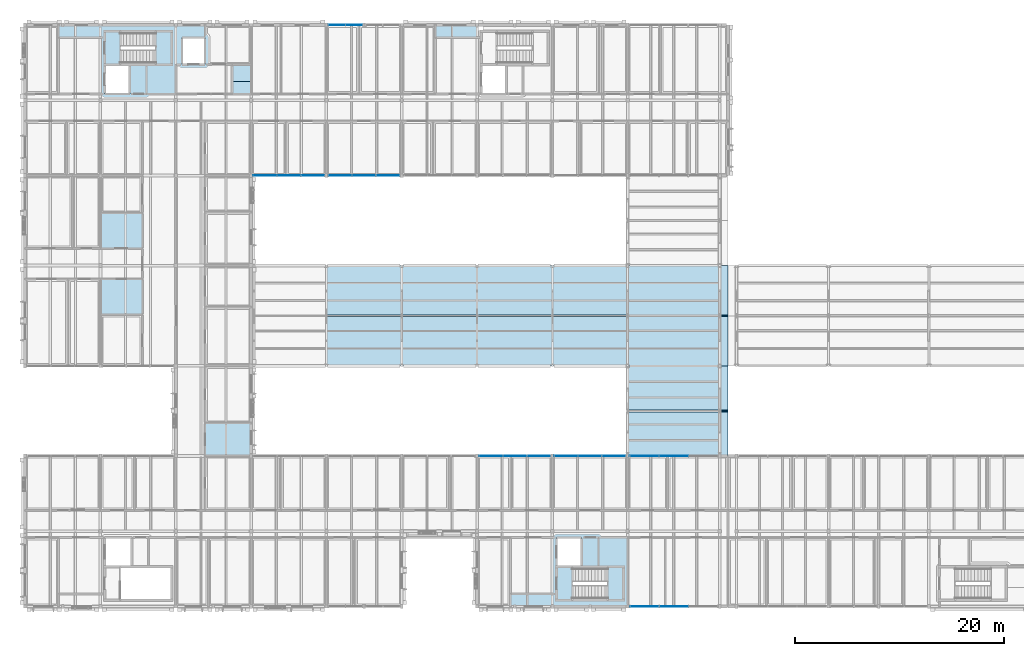
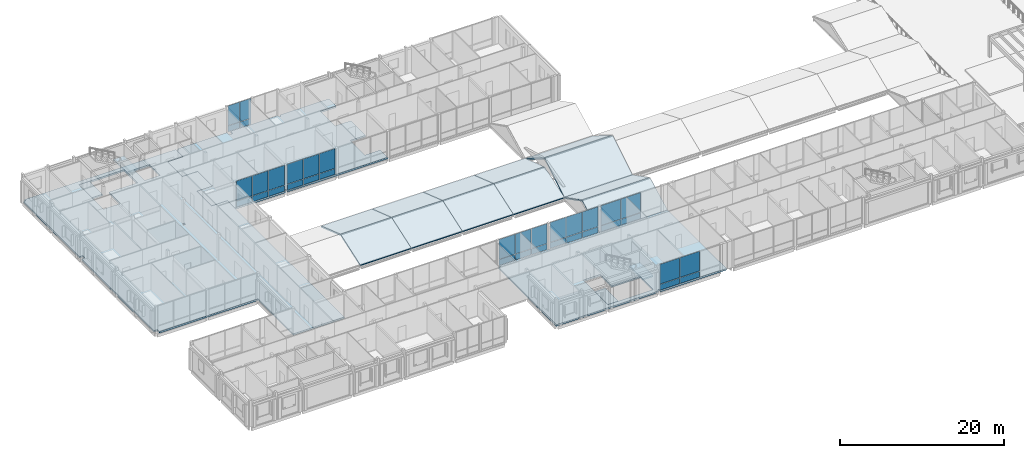
# One storey, part 68 of 115: 36 plates, 19 slabs, 9 elements without a shape of their own.
"""IFC4 building model written with IfcOpenShell, lengths in metres."""

from ifc_helpers import new_model, si_unit, direction, frame, origin, origin_2d, place, context, subcontext, project, spatial, polyline, rectangle, outline, extrude, material, layer, layer_set, type_object, element, aggregate, save


model = new_model("IFC4")

# Units and contexts
model_context = context("Model", 3, precision=1e-05, world=origin(), true_north=direction((0.0, 1.0)))
body_context = subcontext(model_context, "Body", "Model", "MODEL_VIEW")
ifc_project = project(units=[si_unit("LENGTHUNIT", "METRE"), si_unit("AREAUNIT", "SQUARE_METRE"), si_unit("VOLUMEUNIT", "CUBIC_METRE"), si_unit("PLANEANGLEUNIT", "RADIAN"), si_unit("MASSUNIT", "GRAM", prefix="KILO")], contexts=[model_context])

# Site, building, storey
site_placement = place(None, origin())
site = spatial("IfcSite", under=ifc_project, at=site_placement, CompositionType="ELEMENT")
building_placement = place(site_placement, origin())
building = spatial("IfcBuilding", under=site, at=building_placement, Name="Hawrajan Terrace Health Centre", CompositionType="ELEMENT")
storey_placement = place(building_placement, frame((0.0, 0.0, 9.0)))
storey = spatial("IfcBuildingStorey", under=building, at=storey_placement, Name="L02", CompositionType="ELEMENT", Elevation=9.0)

# Curtain wall, plates
ifc_material_1 = material(Name="Anodized bronze aluminium and low-E solar glazing", Category="aluminium")
curtain_wall_type_1 = type_object("IfcCurtainWallType", Name="CW_Court_SeriesB2", PredefinedType="USERDEFINED", material=ifc_material_1)
curtain_wall_1_placement = place(storey_placement, origin())
curtain_wall_1 = element("IfcCurtainWall", 1, at=curtain_wall_1_placement, inside=storey, type_object=curtain_wall_type_1, Name="Curtain wall CW-L02-125", ObjectType="UNITISED CURTAIN WALL", PredefinedType="USERDEFINED")
ifc_material_2 = material(Name="Diffused north-light insulated glazing", Category="glass")
ifc_layer_1 = layer(ifc_material_2, 0.031982421875)
ifc_layer_set_1 = layer_set([ifc_layer_1], Name="Diffused north-light insulated glazing")
plate_type_1 = type_object("IfcPlateType", Name="ClerestoryGlassPanel_32", PredefinedType="CURTAIN_PANEL", material=ifc_layer_set_1)
plate_1_placement = place(storey_placement, frame((34.715087890625, 45.39990234375, 0.9814453125), z_axis=(0.0, 0.0, 1.0), x_axis=(1.0, 0.0, 0.0)))
plate_1 = element("IfcPlate", 2, at=plate_1_placement, type_object=plate_type_1, Name="Curtain panel CW-L02-125-P1-2", PredefinedType="CURTAIN_PANEL", context=body_context, shape_type="SweptSolid", body=[
    extrude(rectangle(XDim=2.2119140625, YDim=0.031982421875, at=origin_2d()), origin(), (0.0, 0.0, 1.0), 2.939453125),
])
plate_2_placement = place(storey_placement, frame((36.989990234375, 45.39990234375, 0.9814453125), z_axis=(0.0, 0.0, 1.0), x_axis=(1.0, 0.0, 0.0)))
plate_2 = element("IfcPlate", 3, at=plate_2_placement, type_object=plate_type_1, Name="Curtain panel CW-L02-125-P2-2", PredefinedType="CURTAIN_PANEL", context=body_context, shape_type="SweptSolid", body=[
    extrude(rectangle(XDim=2.2119140625, YDim=0.031982421875, at=origin_2d()), origin(), (0.0, 0.0, 1.0), 2.939453125),
])
plate_3_placement = place(storey_placement, frame((39.264892578125, 45.39990234375, 0.9814453125), z_axis=(0.0, 0.0, 1.0), x_axis=(1.0, 0.0, 0.0)))
plate_3 = element("IfcPlate", 4, at=plate_3_placement, type_object=plate_type_1, Name="Curtain panel CW-L02-125-P3-2", PredefinedType="CURTAIN_PANEL", context=body_context, shape_type="SweptSolid", body=[
    extrude(rectangle(XDim=2.2119140625, YDim=0.031982421875, at=origin_2d()), origin(), (0.0, 0.0, 1.0), 2.939453125),
])

curtain_wall_type_2 = type_object("IfcCurtainWallType", Name="CW_Garden_SeriesF1", PredefinedType="USERDEFINED", material=ifc_material_1)
curtain_wall_2_placement = place(storey_placement, origin())
curtain_wall_2 = element("IfcCurtainWall", 5, at=curtain_wall_2_placement, inside=storey, type_object=curtain_wall_type_2, Name="Curtain wall CW-L02-134", ObjectType="UNITISED CURTAIN WALL", PredefinedType="USERDEFINED")
plate_4_placement = place(storey_placement, frame((63.8017578125, 4.199951171875, 0.9814453125), z_axis=(0.0, 0.0, 1.0), x_axis=(1.0, 0.0, 0.0)))
plate_4 = element("IfcPlate", 6, at=plate_4_placement, type_object=plate_type_1, Name="Curtain panel CW-L02-134-P1-2", PredefinedType="CURTAIN_PANEL", context=body_context, shape_type="SweptSolid", body=[
    extrude(rectangle(XDim=2.745361328125, YDim=0.031982421875, at=origin_2d()), origin(), (0.0, 0.0, 1.0), 2.939453125),
])
plate_5_placement = place(storey_placement, frame((66.610107421875, 4.199951171875, 0.9814453125), z_axis=(0.0, 0.0, 1.0), x_axis=(1.0, 0.0, 0.0)))
plate_5 = element("IfcPlate", 7, at=plate_5_placement, type_object=plate_type_1, Name="Curtain panel CW-L02-134-P2-2", PredefinedType="CURTAIN_PANEL", context=body_context, shape_type="SweptSolid", body=[
    extrude(rectangle(XDim=2.745361328125, YDim=0.031982421875, at=origin_2d()), origin(), (0.0, 0.0, 1.0), 2.939453125),
])

# Slabs
ifc_material_3 = material(Name="Cross-laminated timber CLT C24", Category="wood")
ifc_layer_2 = layer(ifc_material_3, 0.239990234375)
ifc_layer_set_2 = layer_set([ifc_layer_2], Name="Cross-laminated timber CLT C24")
slab_type_1 = type_object("IfcSlabType", Name="FloorSlab_CLT240", PredefinedType="FLOOR", material=ifc_layer_set_2)
slab_1_placement = place(storey_placement, frame((0.0, 0.0, -0.239990234375)))
element("IfcSlab", 8, at=slab_1_placement, inside=storey, type_object=slab_type_1, Name="Structural slab SL-L02-W-V2-Z0-1", PredefinedType="FLOOR", context=body_context, shape_type="SweptSolid", body=[
    extrude(outline(polyline([(4.60009765625, 59.52001953125), (4.8798828125, 59.52001953125), (4.8798828125, 59.800048828125), (11.800048828125, 59.800048828125), (19.0, 59.800048828125), (26.199951171875, 59.800048828125), (26.199951171875, 59.52001953125), (26.199951171875, 58.0), (24.0, 58.0), (24.0, 54.39990234375), (26.199951171875, 54.39990234375), (26.199951171875, 52.60009765625), (26.199951171875, 50.800048828125), (24.0, 50.800048828125), (24.0, 47.199951171875), (26.199951171875, 47.199951171875), (26.199951171875, 45.39990234375), (26.199951171875, 36.800048828125), (26.199951171875, 27.199951171875), (26.199951171875, 18.60009765625), (19.280029296875, 18.60009765625), (19.0, 18.60009765625), (19.0, 27.199951171875), (11.800048828125, 27.199951171875), (5.10009765625, 27.199951171875), (5.10009765625, 27.699951171875), (4.60009765625, 27.699951171875), (4.60009765625, 36.800048828125), (4.60009765625, 45.39990234375), (5.10009765625, 45.39990234375), (5.10009765625, 45.89990234375), (4.60009765625, 45.89990234375), (4.60009765625, 52.60009765625), (4.60009765625, 59.52001953125)]), holes=[polyline([(19.280029296875, 45.39990234375), (19.280029296875, 45.679931640625), (19.0, 45.679931640625), (19.0, 45.39990234375), (19.280029296875, 45.39990234375)]), polyline([(14.60009765625, 53.199951171875), (14.60009765625, 56.0), (18.60009765625, 56.0), (18.60009765625, 59.199951171875), (12.199951171875, 59.199951171875), (12.199951171875, 56.0), (12.199951171875, 53.199951171875), (14.60009765625, 53.199951171875)]), polyline([(21.800048828125, 56.0), (21.800048828125, 58.60009765625), (19.60009765625, 58.60009765625), (19.60009765625, 56.0), (21.800048828125, 56.0)])]), origin(), (0.0, 0.0, 1.0), 0.239990234375),
])
slab_2_placement = place(storey_placement, frame((0.0, 0.0, -0.239990234375)))
element("IfcSlab", 9, at=slab_2_placement, inside=storey, type_object=slab_type_1, Name="Structural slab SL-L02-W-V2-Z1-1", PredefinedType="FLOOR", context=body_context, shape_type="SweptSolid", body=[
    extrude(outline(polyline([(26.47998046875, 59.52001953125), (26.47998046875, 59.800048828125), (33.39990234375, 59.800048828125), (33.39990234375, 59.25), (33.949951171875, 59.25), (33.949951171875, 59.800048828125), (40.60009765625, 59.800048828125), (40.60009765625, 59.52001953125), (40.8798828125, 59.52001953125), (40.8798828125, 59.800048828125), (47.800048828125, 59.800048828125), (47.800048828125, 59.25), (47.800048828125, 58.0), (45.60009765625, 58.0), (45.60009765625, 54.39990234375), (47.800048828125, 54.39990234375), (47.800048828125, 52.60009765625), (47.800048828125, 50.800048828125), (45.60009765625, 50.800048828125), (45.60009765625, 47.199951171875), (47.800048828125, 47.199951171875), (47.800048828125, 45.679931640625), (47.800048828125, 45.39990234375), (40.60009765625, 45.39990234375), (33.679931640625, 45.39990234375), (33.679931640625, 45.679931640625), (33.39990234375, 45.679931640625), (33.39990234375, 45.39990234375), (26.201904296875, 45.39990234375), (26.201904296875, 47.201904296875), (24.001953125, 47.201904296875), (24.001953125, 50.798095703125), (26.201904296875, 50.798095703125), (26.201904296875, 54.402099609375), (24.001953125, 54.402099609375), (24.001953125, 57.998046875), (26.201904296875, 57.998046875), (26.201904296875, 59.52001953125), (26.47998046875, 59.52001953125)])), origin(), (0.0, 0.0, 1.0), 0.239990234375),
])
slab_3_placement = place(storey_placement, frame((0.0, 0.0, -0.239990234375)))
element("IfcSlab", 10, at=slab_3_placement, inside=storey, type_object=slab_type_1, Name="Structural slab SL-L02-W-V3-Z2-1", PredefinedType="FLOOR", context=body_context, shape_type="SweptSolid", body=[
    extrude(outline(polyline([(48.080078125, 18.320068359375), (48.080078125, 18.60009765625), (55.0, 18.60009765625), (62.199951171875, 18.60009765625), (71.794921875, 18.60009765625), (71.794921875, 11.39990234375), (71.794921875, 4.199951171875), (62.47998046875, 4.199951171875), (62.47998046875, 4.47998046875), (62.199951171875, 4.47998046875), (62.199951171875, 4.199951171875), (55.0, 4.199951171875), (47.800048828125, 4.199951171875), (47.800048828125, 11.39990234375), (47.800048828125, 18.320068359375), (48.080078125, 18.320068359375)]), holes=[polyline([(61.800048828125, 4.800048828125), (61.800048828125, 8.0), (57.800048828125, 8.0), (57.800048828125, 10.800048828125), (55.39990234375, 10.800048828125), (55.39990234375, 8.0), (55.39990234375, 4.800048828125), (61.800048828125, 4.800048828125)])]), origin(), (0.0, 0.0, 1.0), 0.239990234375),
])
ifc_layer_3 = layer(ifc_material_3, 0.179931640625)
ifc_layer_set_3 = layer_set([ifc_layer_3], Name="Cross-laminated timber CLT C24")
slab_type_2 = type_object("IfcSlabType", Name="RoofSlab_Tent180", PredefinedType="ROOF", material=ifc_layer_set_3)
for number, where, z_axis, x_axis, name in (
    (11, (33.39990234375, 27.199951171875, 0.0), (0.0, -0.325092072107, 0.945682369854), (1.0, 0.0, 0.0), "Pitched tent roof slab RF-V1-05-TRS-S"),
    (12, (33.39990234375, 32.080078125, 1.62255859375), (0.0, 0.325092072107, 0.945682369854), (1.0, 0.0, 0.0), "Pitched tent roof slab RF-V1-05-TRS-N"),
):
    element("IfcSlab", number, at=place(storey_placement, frame(where, z_axis=z_axis, x_axis=x_axis)), inside=storey, type_object=slab_type_2, Name=name, PredefinedType="ROOF", context=body_context, shape_type="SweptSolid", body=[
        extrude(outline(polyline([(0.0, 0.0), (7.2001953125, 0.0), (7.2001953125, 4.991074015531154), (0.0, 4.991074015531154), (0.0, 0.0)])), origin(), (0.0, 0.0, -1.0), 0.179931640625),
    ])
for number, where, z_axis, x_axis, name in (
    (13, (40.60009765625, 27.199951171875, 0.0), (0.0, -0.325092072107, 0.945682369854), (1.0, 0.0, 0.0), "Pitched tent roof slab RF-V1-06-TRS-S"),
    (14, (40.60009765625, 32.080078125, 1.62255859375), (0.0, 0.325092072107, 0.945682369854), (1.0, 0.0, 0.0), "Pitched tent roof slab RF-V1-06-TRS-N"),
    (15, (47.800048828125, 27.199951171875, 0.0), (0.0, -0.325092072107, 0.945682369854), (1.0, 0.0, 0.0), "Pitched tent roof slab RF-V1-07-TRS-S"),
    (16, (47.800048828125, 32.080078125, 1.62255859375), (0.0, 0.325092072107, 0.945682369854), (1.0, 0.0, 0.0), "Pitched tent roof slab RF-V1-07-TRS-N"),
    (17, (55.0, 27.199951171875, 0.0), (0.0, -0.325092072107, 0.945682369854), (1.0, 0.0, 0.0), "Pitched tent roof slab RF-V1-08-TRS-S"),
    (18, (55.0, 32.080078125, 1.62255859375), (0.0, 0.325092072107, 0.945682369854), (1.0, 0.0, 0.0), "Pitched tent roof slab RF-V1-08-TRS-N"),
):
    element("IfcSlab", number, at=place(storey_placement, frame(where, z_axis=z_axis, x_axis=x_axis)), inside=storey, type_object=slab_type_2, Name=name, PredefinedType="ROOF", context=body_context, shape_type="SweptSolid", body=[
        extrude(outline(polyline([(0.0, 0.0), (7.199951171875, 0.0), (7.199951171875, 4.991074015531154), (0.0, 4.991074015531154), (0.0, 0.0)])), origin(), (0.0, 0.0, -1.0), 0.179931640625),
    ])
for number, where, z_axis, x_axis, name in (
    (19, (62.199951171875, 18.60009765625, 0.0), (0.0, -0.45549668815, 0.890237477915), (1.0, 0.0, 0.0), "Pitched tent roof slab RF-V1-09-TRL-SC-S"),
    (20, (62.199951171875, 22.97998046875, 2.1591796875), (0.0, 0.45549668815, 0.890237477915), (1.0, 0.0, 0.0), "Pitched tent roof slab RF-V1-09-TRL-SC-N"),
):
    element("IfcSlab", number, at=place(storey_placement, frame(where, z_axis=z_axis, x_axis=x_axis)), inside=storey, type_object=slab_type_2, Name=name, PredefinedType="ROOF", context=body_context, shape_type="SweptSolid", body=[
        extrude(outline(polyline([(0.0, 0.0), (9.594970703125, 0.0), (9.594970703125, 4.740275272402005), (0.0, 4.740275272402005), (0.0, 0.0)])), origin(), (0.0, 0.0, -1.0), 0.179931640625),
    ])
for number, where, z_axis, x_axis, name in (
    (21, (62.199951171875, 27.199951171875, 0.0), (0.0, -0.529987083483, 0.848005714215), (1.0, 0.0, 0.0), "Pitched tent roof slab RF-V1-09-TRL-M-S"),
    (22, (62.199951171875, 32.09130859375, 2.94287109375), (0.0, 0.529987083483, 0.848005714215), (1.0, 0.0, 0.0), "Pitched tent roof slab RF-V1-09-TRL-M-N"),
):
    element("IfcSlab", number, at=place(storey_placement, frame(where, z_axis=z_axis, x_axis=x_axis)), inside=storey, type_object=slab_type_2, Name=name, PredefinedType="ROOF", context=body_context, shape_type="SweptSolid", body=[
        extrude(outline(polyline([(0.0, 0.0), (9.594970703125, 0.0), (9.594970703125, 5.552722293546766), (0.0, 5.552722293546766), (0.0, 0.0)])), origin(), (0.0, 0.0, -1.0), 0.179931640625),
    ])

# Curtain wall, plates
curtain_wall_type_3 = type_object("IfcCurtainWallType", Name="CW_Court_SeriesB3", PredefinedType="USERDEFINED", material=ifc_material_1)
curtain_wall_3_placement = place(storey_placement, origin())
curtain_wall_3 = element("IfcCurtainWall", 23, at=curtain_wall_3_placement, inside=storey, type_object=curtain_wall_type_3, Name="Curtain wall CW-L02-126", ObjectType="UNITISED CURTAIN WALL", PredefinedType="USERDEFINED")
ifc_material_4 = material(Name="Insulated anodized bronze spandrel panel")
ifc_layer_4 = layer(ifc_material_4, 0.048095703125)
ifc_layer_set_4 = layer_set([ifc_layer_4], Name="Insulated anodized bronze spandrel panel")
plate_type_2 = type_object("IfcPlateType", Name="SpandrelPanel_Bronze48", PredefinedType="CURTAIN_PANEL", material=ifc_layer_set_4)
plate_6_placement = place(storey_placement, frame((34.39111328125, 59.800048828125, 0.05908203125), z_axis=(0.0, 0.0, 1.0), x_axis=(1.0, 0.0, 0.0)))
plate_6 = element("IfcPlate", 24, at=plate_6_placement, type_object=plate_type_2, Name="Curtain panel CW-L02-126-P1-1", PredefinedType="CURTAIN_PANEL", context=body_context, shape_type="SweptSolid", body=[
    extrude(rectangle(XDim=1.58447265625, YDim=0.048095703125, at=origin_2d()), origin(), (0.0, 0.0, 1.0), 0.864501953125),
])
plate_7_placement = place(storey_placement, frame((36.02880859375, 59.800048828125, 0.05908203125), z_axis=(0.0, 0.0, 1.0), x_axis=(1.0, 0.0, 0.0)))
plate_7 = element("IfcPlate", 25, at=plate_7_placement, type_object=plate_type_2, Name="Curtain panel CW-L02-126-P2-1", PredefinedType="CURTAIN_PANEL", context=body_context, shape_type="SweptSolid", body=[
    extrude(rectangle(XDim=1.58447265625, YDim=0.048095703125, at=origin_2d()), origin(), (0.0, 0.0, 1.0), 0.864501953125),
])

curtain_wall_type_4 = type_object("IfcCurtainWallType", Name="CW_Hall_SeriesD1", PredefinedType="USERDEFINED", material=ifc_material_1)
curtain_wall_4_placement = place(storey_placement, origin())
curtain_wall_4 = element("IfcCurtainWall", 26, at=curtain_wall_4_placement, inside=storey, type_object=curtain_wall_type_4, Name="Curtain wall CW-L02-130", ObjectType="UNITISED CURTAIN WALL", PredefinedType="USERDEFINED")
plate_8_placement = place(storey_placement, frame((49.131591796875, 18.60009765625, 0.05908203125), z_axis=(0.0, 0.0, 1.0), x_axis=(1.0, 0.0, 0.0)))
plate_8 = element("IfcPlate", 27, at=plate_8_placement, type_object=plate_type_2, Name="Curtain panel CW-L02-130-P1-1", PredefinedType="CURTAIN_PANEL", context=body_context, shape_type="SweptSolid", body=[
    extrude(rectangle(XDim=2.225341796875, YDim=0.048095703125, at=origin_2d()), origin(), (0.0, 0.0, 1.0), 0.864501953125),
])
plate_9_placement = place(storey_placement, frame((51.409912109375, 18.60009765625, 0.05908203125), z_axis=(0.0, 0.0, 1.0), x_axis=(1.0, 0.0, 0.0)))
plate_9 = element("IfcPlate", 28, at=plate_9_placement, type_object=plate_type_2, Name="Curtain panel CW-L02-130-P2-1", PredefinedType="CURTAIN_PANEL", context=body_context, shape_type="SweptSolid", body=[
    extrude(rectangle(XDim=2.225341796875, YDim=0.048095703125, at=origin_2d()), origin(), (0.0, 0.0, 1.0), 0.864501953125),
])
plate_10_placement = place(storey_placement, frame((53.688232421875, 18.60009765625, 0.05908203125), z_axis=(0.0, 0.0, 1.0), x_axis=(1.0, 0.0, 0.0)))
plate_10 = element("IfcPlate", 29, at=plate_10_placement, type_object=plate_type_2, Name="Curtain panel CW-L02-130-P3-1", PredefinedType="CURTAIN_PANEL", context=body_context, shape_type="SweptSolid", body=[
    extrude(rectangle(XDim=2.225341796875, YDim=0.048095703125, at=origin_2d()), origin(), (0.0, 0.0, 1.0), 0.864501953125),
])

curtain_wall_type_5 = type_object("IfcCurtainWallType", Name="CW_Pavilion_SeriesE1", PredefinedType="USERDEFINED", material=ifc_material_1)
curtain_wall_5_placement = place(storey_placement, origin())
curtain_wall_5 = element("IfcCurtainWall", 30, at=curtain_wall_5_placement, inside=storey, type_object=curtain_wall_type_5, Name="Curtain wall CW-L02-132", ObjectType="UNITISED CURTAIN WALL", PredefinedType="USERDEFINED")
plate_11_placement = place(storey_placement, frame((56.311767578125, 18.60009765625, 0.05908203125), z_axis=(0.0, 0.0, 1.0), x_axis=(1.0, 0.0, 0.0)))
plate_11 = element("IfcPlate", 31, at=plate_11_placement, type_object=plate_type_2, Name="Curtain panel CW-L02-132-P1-1", PredefinedType="CURTAIN_PANEL", context=body_context, shape_type="SweptSolid", body=[
    extrude(rectangle(XDim=2.225341796875, YDim=0.048095703125, at=origin_2d()), origin(), (0.0, 0.0, 1.0), 0.864501953125),
])
plate_12_placement = place(storey_placement, frame((58.590087890625, 18.60009765625, 0.05908203125), z_axis=(0.0, 0.0, 1.0), x_axis=(1.0, 0.0, 0.0)))
plate_12 = element("IfcPlate", 32, at=plate_12_placement, type_object=plate_type_2, Name="Curtain panel CW-L02-132-P2-1", PredefinedType="CURTAIN_PANEL", context=body_context, shape_type="SweptSolid", body=[
    extrude(rectangle(XDim=2.225341796875, YDim=0.048095703125, at=origin_2d()), origin(), (0.0, 0.0, 1.0), 0.864501953125),
])
plate_13_placement = place(storey_placement, frame((60.868408203125, 18.60009765625, 0.05908203125), z_axis=(0.0, 0.0, 1.0), x_axis=(1.0, 0.0, 0.0)))
plate_13 = element("IfcPlate", 33, at=plate_13_placement, type_object=plate_type_2, Name="Curtain panel CW-L02-132-P3-1", PredefinedType="CURTAIN_PANEL", context=body_context, shape_type="SweptSolid", body=[
    extrude(rectangle(XDim=2.225341796875, YDim=0.048095703125, at=origin_2d()), origin(), (0.0, 0.0, 1.0), 0.864501953125),
])

# Plate
plate_14_placement = place(storey_placement, frame((63.8017578125, 4.199951171875, 0.06884765625), z_axis=(0.0, 0.0, 1.0), x_axis=(1.0, 0.0, 0.0)))
plate_14 = element("IfcPlate", 34, at=plate_14_placement, type_object=plate_type_2, Name="Curtain panel CW-L02-134-P1-1", PredefinedType="CURTAIN_PANEL", context=body_context, shape_type="SweptSolid", body=[
    extrude(rectangle(XDim=2.745361328125, YDim=0.048095703125, at=origin_2d()), origin(), (0.0, 0.0, 1.0), 0.849609375),
])

plate_15_placement = place(storey_placement, frame((66.610107421875, 4.199951171875, 0.06884765625), z_axis=(0.0, 0.0, 1.0), x_axis=(1.0, 0.0, 0.0)))
plate_15 = element("IfcPlate", 35, at=plate_15_placement, type_object=plate_type_2, Name="Curtain panel CW-L02-134-P2-1", PredefinedType="CURTAIN_PANEL", context=body_context, shape_type="SweptSolid", body=[
    extrude(rectangle(XDim=2.745361328125, YDim=0.048095703125, at=origin_2d()), origin(), (0.0, 0.0, 1.0), 0.849609375),
])

aggregate(curtain_wall_2, [plate_14, plate_4, plate_15, plate_5])

# Curtain wall, plates
curtain_wall_type_6 = type_object("IfcCurtainWallType", Name="CW_Court_SeriesA1", PredefinedType="USERDEFINED", material=ifc_material_1)
curtain_wall_6_placement = place(storey_placement, origin())
curtain_wall_6 = element("IfcCurtainWall", 36, at=curtain_wall_6_placement, inside=storey, type_object=curtain_wall_type_6, Name="Curtain wall CW-L02-121", ObjectType="UNITISED CURTAIN WALL", PredefinedType="USERDEFINED")
ifc_material_5 = material(Name="Insulated reconstituted coral-stone spandrel", Category="masonry")
ifc_layer_5 = layer(ifc_material_5, 0.055908203125)
ifc_layer_set_5 = layer_set([ifc_layer_5], Name="Insulated reconstituted coral-stone spandrel")
plate_type_3 = type_object("IfcPlateType", Name="SpandrelPanel_Coral56", PredefinedType="CURTAIN_PANEL", material=ifc_layer_set_5)
plate_16_placement = place(storey_placement, frame((27.53173828125, 45.39990234375, 0.05908203125), z_axis=(0.0, 0.0, 1.0), x_axis=(1.0, 0.0, 0.0)))
plate_16 = element("IfcPlate", 37, at=plate_16_placement, type_object=plate_type_3, Name="Curtain panel CW-L02-121-P1-1", PredefinedType="CURTAIN_PANEL", context=body_context, shape_type="SweptSolid", body=[
    extrude(rectangle(XDim=2.225341796875, YDim=0.055908203125, at=origin_2d()), origin(), (0.0, 0.0, 1.0), 0.864501953125),
])
plate_17_placement = place(storey_placement, frame((29.81005859375, 45.39990234375, 0.05908203125), z_axis=(0.0, 0.0, 1.0), x_axis=(1.0, 0.0, 0.0)))
plate_17 = element("IfcPlate", 38, at=plate_17_placement, type_object=plate_type_3, Name="Curtain panel CW-L02-121-P2-1", PredefinedType="CURTAIN_PANEL", context=body_context, shape_type="SweptSolid", body=[
    extrude(rectangle(XDim=2.225341796875, YDim=0.055908203125, at=origin_2d()), origin(), (0.0, 0.0, 1.0), 0.864501953125),
])
plate_18_placement = place(storey_placement, frame((32.08837890625, 45.39990234375, 0.05908203125), z_axis=(0.0, 0.0, 1.0), x_axis=(1.0, 0.0, 0.0)))
plate_18 = element("IfcPlate", 39, at=plate_18_placement, type_object=plate_type_3, Name="Curtain panel CW-L02-121-P3-1", PredefinedType="CURTAIN_PANEL", context=body_context, shape_type="SweptSolid", body=[
    extrude(rectangle(XDim=2.225341796875, YDim=0.055908203125, at=origin_2d()), origin(), (0.0, 0.0, 1.0), 0.864501953125),
])

# Plate
plate_19_placement = place(storey_placement, frame((34.715087890625, 45.39990234375, 0.06884765625), z_axis=(0.0, 0.0, 1.0), x_axis=(1.0, 0.0, 0.0)))
plate_19 = element("IfcPlate", 40, at=plate_19_placement, type_object=plate_type_3, Name="Curtain panel CW-L02-125-P1-1", PredefinedType="CURTAIN_PANEL", context=body_context, shape_type="SweptSolid", body=[
    extrude(rectangle(XDim=2.2119140625, YDim=0.055908203125, at=origin_2d()), origin(), (0.0, 0.0, 1.0), 0.849609375),
])

plate_20_placement = place(storey_placement, frame((36.989990234375, 45.39990234375, 0.06884765625), z_axis=(0.0, 0.0, 1.0), x_axis=(1.0, 0.0, 0.0)))
plate_20 = element("IfcPlate", 41, at=plate_20_placement, type_object=plate_type_3, Name="Curtain panel CW-L02-125-P2-1", PredefinedType="CURTAIN_PANEL", context=body_context, shape_type="SweptSolid", body=[
    extrude(rectangle(XDim=2.2119140625, YDim=0.055908203125, at=origin_2d()), origin(), (0.0, 0.0, 1.0), 0.849609375),
])

plate_21_placement = place(storey_placement, frame((39.264892578125, 45.39990234375, 0.06884765625), z_axis=(0.0, 0.0, 1.0), x_axis=(1.0, 0.0, 0.0)))
plate_21 = element("IfcPlate", 42, at=plate_21_placement, type_object=plate_type_3, Name="Curtain panel CW-L02-125-P3-1", PredefinedType="CURTAIN_PANEL", context=body_context, shape_type="SweptSolid", body=[
    extrude(rectangle(XDim=2.2119140625, YDim=0.055908203125, at=origin_2d()), origin(), (0.0, 0.0, 1.0), 0.849609375),
])

aggregate(curtain_wall_1, [plate_19, plate_1, plate_20, plate_2, plate_21, plate_3])

# Curtain wall, plates
curtain_wall_type_7 = type_object("IfcCurtainWallType", Name="CW_Garden_SeriesF2", PredefinedType="USERDEFINED", material=ifc_material_1)
curtain_wall_7_placement = place(storey_placement, origin())
curtain_wall_7 = element("IfcCurtainWall", 43, at=curtain_wall_7_placement, inside=storey, type_object=curtain_wall_type_7, Name="Curtain wall CW-L02-135", ObjectType="UNITISED CURTAIN WALL", PredefinedType="USERDEFINED")
plate_22_placement = place(storey_placement, frame((63.79833984375, 18.60009765625, 0.05908203125), z_axis=(0.0, 0.0, 1.0), x_axis=(1.0, 0.0, 0.0)))
plate_22 = element("IfcPlate", 44, at=plate_22_placement, type_object=plate_type_3, Name="Curtain panel CW-L02-135-P1-1", PredefinedType="CURTAIN_PANEL", context=body_context, shape_type="SweptSolid", body=[
    extrude(rectangle(XDim=2.7587890625, YDim=0.055908203125, at=origin_2d()), origin(), (0.0, 0.0, 1.0), 0.864501953125),
])
plate_23_placement = place(storey_placement, frame((66.610107421875, 18.60009765625, 0.05908203125), z_axis=(0.0, 0.0, 1.0), x_axis=(1.0, 0.0, 0.0)))
plate_23 = element("IfcPlate", 45, at=plate_23_placement, type_object=plate_type_3, Name="Curtain panel CW-L02-135-P2-1", PredefinedType="CURTAIN_PANEL", context=body_context, shape_type="SweptSolid", body=[
    extrude(rectangle(XDim=2.7587890625, YDim=0.055908203125, at=origin_2d()), origin(), (0.0, 0.0, 1.0), 0.864501953125),
])

# Stair, slabs
ifc_material_6 = material(Name="Concrete C40/50", Category="concrete")
stair_type = type_object("IfcStairType", Name="Stair_4200_W1300", PredefinedType="HALF_TURN_STAIR", material=ifc_material_6)
stair_1_placement = place(storey_placement, origin())
stair_1 = element("IfcStair", 46, at=stair_1_placement, inside=storey, type_object=stair_type, Name="Stair ST-1-L02", PredefinedType="HALF_TURN_STAIR")
ifc_layer_6 = layer(ifc_material_6, 0.219970703125)
ifc_layer_set_6 = layer_set([ifc_layer_6], Name="Concrete C40/50")
slab_type_3 = type_object("IfcSlabType", Name="StairLanding_RC220", PredefinedType="LANDING", material=ifc_layer_set_6)
slab_4_placement = place(storey_placement, frame((0.0, 0.0, -0.219970703125)))
slab_4 = element("IfcSlab", 47, at=slab_4_placement, type_object=slab_type_3, Name="Stair floor landing ST-1-L02-L0", PredefinedType="LANDING", context=body_context, shape_type="SweptSolid", body=[
    extrude(outline(polyline([(12.199951171875, 56.0), (13.699951171875, 56.0), (13.699951171875, 59.199951171875), (12.199951171875, 59.199951171875), (12.199951171875, 56.0)])), origin(), (0.0, 0.0, 1.0), 0.219970703125),
])
slab_5_placement = place(storey_placement, frame((0.0, 0.0, 1.8798828125)))
slab_5 = element("IfcSlab", 48, at=slab_5_placement, type_object=slab_type_3, Name="Stair half landing ST-1-L02-L1", PredefinedType="LANDING", context=body_context, shape_type="SweptSolid", body=[
    extrude(outline(polyline([(17.10009765625, 56.0), (18.60009765625, 56.0), (18.60009765625, 59.199951171875), (17.10009765625, 59.199951171875), (17.10009765625, 56.0)])), origin(), (0.0, 0.0, 1.0), 0.22021484375),
])
aggregate(stair_1, [slab_4, slab_5])

stair_2_placement = place(storey_placement, origin())
stair_2 = element("IfcStair", 49, at=stair_2_placement, inside=storey, type_object=stair_type, Name="Stair ST-4-L02", PredefinedType="HALF_TURN_STAIR")
slab_6_placement = place(storey_placement, frame((0.0, 0.0, -0.219970703125)))
slab_6 = element("IfcSlab", 50, at=slab_6_placement, type_object=slab_type_3, Name="Stair floor landing ST-4-L02-L0", PredefinedType="LANDING", context=body_context, shape_type="SweptSolid", body=[
    extrude(outline(polyline([(55.39990234375, 4.800048828125), (56.89990234375, 4.800048828125), (56.89990234375, 8.0), (55.39990234375, 8.0), (55.39990234375, 4.800048828125)])), origin(), (0.0, 0.0, 1.0), 0.219970703125),
])
slab_7_placement = place(storey_placement, frame((0.0, 0.0, 1.8798828125)))
slab_7 = element("IfcSlab", 51, at=slab_7_placement, type_object=slab_type_3, Name="Stair half landing ST-4-L02-L1", PredefinedType="LANDING", context=body_context, shape_type="SweptSolid", body=[
    extrude(outline(polyline([(60.300048828125, 4.800048828125), (61.800048828125, 4.800048828125), (61.800048828125, 8.0), (60.300048828125, 8.0), (60.300048828125, 4.800048828125)])), origin(), (0.0, 0.0, 1.0), 0.22021484375),
])
aggregate(stair_2, [slab_6, slab_7])

# Plate
ifc_material_7 = material(Name="Double-glazed solar control low-E glass", Category="glass")
ifc_layer_7 = layer(ifc_material_7, 0.028076171875)
ifc_layer_set_7 = layer_set([ifc_layer_7], Name="Double-glazed solar control low-E glass")
plate_type_4 = type_object("IfcPlateType", Name="VisionGlassPanel_28", PredefinedType="CURTAIN_PANEL", material=ifc_layer_set_7)
plate_24_placement = place(storey_placement, frame((34.39111328125, 59.800048828125, 0.976318359375), z_axis=(0.0, 0.0, 1.0), x_axis=(1.0, 0.0, 0.0)))
plate_24 = element("IfcPlate", 52, at=plate_24_placement, type_object=plate_type_4, Name="Curtain panel CW-L02-126-P1-2", PredefinedType="CURTAIN_PANEL", context=body_context, shape_type="SweptSolid", body=[
    extrude(rectangle(XDim=1.58447265625, YDim=0.028076171875, at=origin_2d()), origin(), (0.0, 0.0, 1.0), 2.95458984375),
])

plate_25_placement = place(storey_placement, frame((36.02880859375, 59.800048828125, 0.976318359375), z_axis=(0.0, 0.0, 1.0), x_axis=(1.0, 0.0, 0.0)))
plate_25 = element("IfcPlate", 53, at=plate_25_placement, type_object=plate_type_4, Name="Curtain panel CW-L02-126-P2-2", PredefinedType="CURTAIN_PANEL", context=body_context, shape_type="SweptSolid", body=[
    extrude(rectangle(XDim=1.58447265625, YDim=0.028076171875, at=origin_2d()), origin(), (0.0, 0.0, 1.0), 2.95458984375),
])

aggregate(curtain_wall_3, [plate_6, plate_24, plate_7, plate_25])

plate_26_placement = place(storey_placement, frame((56.311767578125, 18.60009765625, 0.976318359375), z_axis=(0.0, 0.0, 1.0), x_axis=(1.0, 0.0, 0.0)))
plate_26 = element("IfcPlate", 54, at=plate_26_placement, type_object=plate_type_4, Name="Curtain panel CW-L02-132-P1-2", PredefinedType="CURTAIN_PANEL", context=body_context, shape_type="SweptSolid", body=[
    extrude(rectangle(XDim=2.225341796875, YDim=0.028076171875, at=origin_2d()), origin(), (0.0, 0.0, 1.0), 2.95458984375),
])

plate_27_placement = place(storey_placement, frame((58.590087890625, 18.60009765625, 0.976318359375), z_axis=(0.0, 0.0, 1.0), x_axis=(1.0, 0.0, 0.0)))
plate_27 = element("IfcPlate", 55, at=plate_27_placement, type_object=plate_type_4, Name="Curtain panel CW-L02-132-P2-2", PredefinedType="CURTAIN_PANEL", context=body_context, shape_type="SweptSolid", body=[
    extrude(rectangle(XDim=2.225341796875, YDim=0.028076171875, at=origin_2d()), origin(), (0.0, 0.0, 1.0), 2.95458984375),
])

plate_28_placement = place(storey_placement, frame((60.868408203125, 18.60009765625, 0.976318359375), z_axis=(0.0, 0.0, 1.0), x_axis=(1.0, 0.0, 0.0)))
plate_28 = element("IfcPlate", 56, at=plate_28_placement, type_object=plate_type_4, Name="Curtain panel CW-L02-132-P3-2", PredefinedType="CURTAIN_PANEL", context=body_context, shape_type="SweptSolid", body=[
    extrude(rectangle(XDim=2.225341796875, YDim=0.028076171875, at=origin_2d()), origin(), (0.0, 0.0, 1.0), 2.95458984375),
])

aggregate(curtain_wall_5, [plate_11, plate_26, plate_12, plate_27, plate_13, plate_28])

plate_29_placement = place(storey_placement, frame((63.79833984375, 18.60009765625, 0.976318359375), z_axis=(0.0, 0.0, 1.0), x_axis=(1.0, 0.0, 0.0)))
plate_29 = element("IfcPlate", 57, at=plate_29_placement, type_object=plate_type_4, Name="Curtain panel CW-L02-135-P1-2", PredefinedType="CURTAIN_PANEL", context=body_context, shape_type="SweptSolid", body=[
    extrude(rectangle(XDim=2.7587890625, YDim=0.028076171875, at=origin_2d()), origin(), (0.0, 0.0, 1.0), 2.95458984375),
])

plate_30_placement = place(storey_placement, frame((66.610107421875, 18.60009765625, 0.976318359375), z_axis=(0.0, 0.0, 1.0), x_axis=(1.0, 0.0, 0.0)))
plate_30 = element("IfcPlate", 58, at=plate_30_placement, type_object=plate_type_4, Name="Curtain panel CW-L02-135-P2-2", PredefinedType="CURTAIN_PANEL", context=body_context, shape_type="SweptSolid", body=[
    extrude(rectangle(XDim=2.7587890625, YDim=0.028076171875, at=origin_2d()), origin(), (0.0, 0.0, 1.0), 2.95458984375),
])

aggregate(curtain_wall_7, [plate_22, plate_29, plate_23, plate_30])

ifc_material_8 = material(Name="Triple-glazed solar acoustic low-E glass", Category="glass")
ifc_layer_8 = layer(ifc_material_8, 0.035888671875)
ifc_layer_set_8 = layer_set([ifc_layer_8], Name="Triple-glazed solar acoustic low-E glass")
plate_type_5 = type_object("IfcPlateType", Name="VisionGlassPanel_36", PredefinedType="CURTAIN_PANEL", material=ifc_layer_set_8)
plate_31_placement = place(storey_placement, frame((27.53173828125, 45.39990234375, 0.976318359375), z_axis=(0.0, 0.0, 1.0), x_axis=(1.0, 0.0, 0.0)))
plate_31 = element("IfcPlate", 59, at=plate_31_placement, type_object=plate_type_5, Name="Curtain panel CW-L02-121-P1-2", PredefinedType="CURTAIN_PANEL", context=body_context, shape_type="SweptSolid", body=[
    extrude(rectangle(XDim=2.225341796875, YDim=0.035888671875, at=origin_2d()), origin(), (0.0, 0.0, 1.0), 2.95458984375),
])

plate_32_placement = place(storey_placement, frame((29.81005859375, 45.39990234375, 0.976318359375), z_axis=(0.0, 0.0, 1.0), x_axis=(1.0, 0.0, 0.0)))
plate_32 = element("IfcPlate", 60, at=plate_32_placement, type_object=plate_type_5, Name="Curtain panel CW-L02-121-P2-2", PredefinedType="CURTAIN_PANEL", context=body_context, shape_type="SweptSolid", body=[
    extrude(rectangle(XDim=2.225341796875, YDim=0.035888671875, at=origin_2d()), origin(), (0.0, 0.0, 1.0), 2.95458984375),
])

plate_33_placement = place(storey_placement, frame((32.08837890625, 45.39990234375, 0.976318359375), z_axis=(0.0, 0.0, 1.0), x_axis=(1.0, 0.0, 0.0)))
plate_33 = element("IfcPlate", 61, at=plate_33_placement, type_object=plate_type_5, Name="Curtain panel CW-L02-121-P3-2", PredefinedType="CURTAIN_PANEL", context=body_context, shape_type="SweptSolid", body=[
    extrude(rectangle(XDim=2.225341796875, YDim=0.035888671875, at=origin_2d()), origin(), (0.0, 0.0, 1.0), 2.95458984375),
])

aggregate(curtain_wall_6, [plate_16, plate_31, plate_17, plate_32, plate_18, plate_33])

plate_34_placement = place(storey_placement, frame((49.131591796875, 18.60009765625, 0.976318359375), z_axis=(0.0, 0.0, 1.0), x_axis=(1.0, 0.0, 0.0)))
plate_34 = element("IfcPlate", 62, at=plate_34_placement, type_object=plate_type_5, Name="Curtain panel CW-L02-130-P1-2", PredefinedType="CURTAIN_PANEL", context=body_context, shape_type="SweptSolid", body=[
    extrude(rectangle(XDim=2.225341796875, YDim=0.035888671875, at=origin_2d()), origin(), (0.0, 0.0, 1.0), 2.95458984375),
])

plate_35_placement = place(storey_placement, frame((51.409912109375, 18.60009765625, 0.976318359375), z_axis=(0.0, 0.0, 1.0), x_axis=(1.0, 0.0, 0.0)))
plate_35 = element("IfcPlate", 63, at=plate_35_placement, type_object=plate_type_5, Name="Curtain panel CW-L02-130-P2-2", PredefinedType="CURTAIN_PANEL", context=body_context, shape_type="SweptSolid", body=[
    extrude(rectangle(XDim=2.225341796875, YDim=0.035888671875, at=origin_2d()), origin(), (0.0, 0.0, 1.0), 2.95458984375),
])

plate_36_placement = place(storey_placement, frame((53.688232421875, 18.60009765625, 0.976318359375), z_axis=(0.0, 0.0, 1.0), x_axis=(1.0, 0.0, 0.0)))
plate_36 = element("IfcPlate", 64, at=plate_36_placement, type_object=plate_type_5, Name="Curtain panel CW-L02-130-P3-2", PredefinedType="CURTAIN_PANEL", context=body_context, shape_type="SweptSolid", body=[
    extrude(rectangle(XDim=2.225341796875, YDim=0.035888671875, at=origin_2d()), origin(), (0.0, 0.0, 1.0), 2.95458984375),
])

aggregate(curtain_wall_4, [plate_8, plate_34, plate_9, plate_35, plate_10, plate_36])

save(model, "model.ifc")
